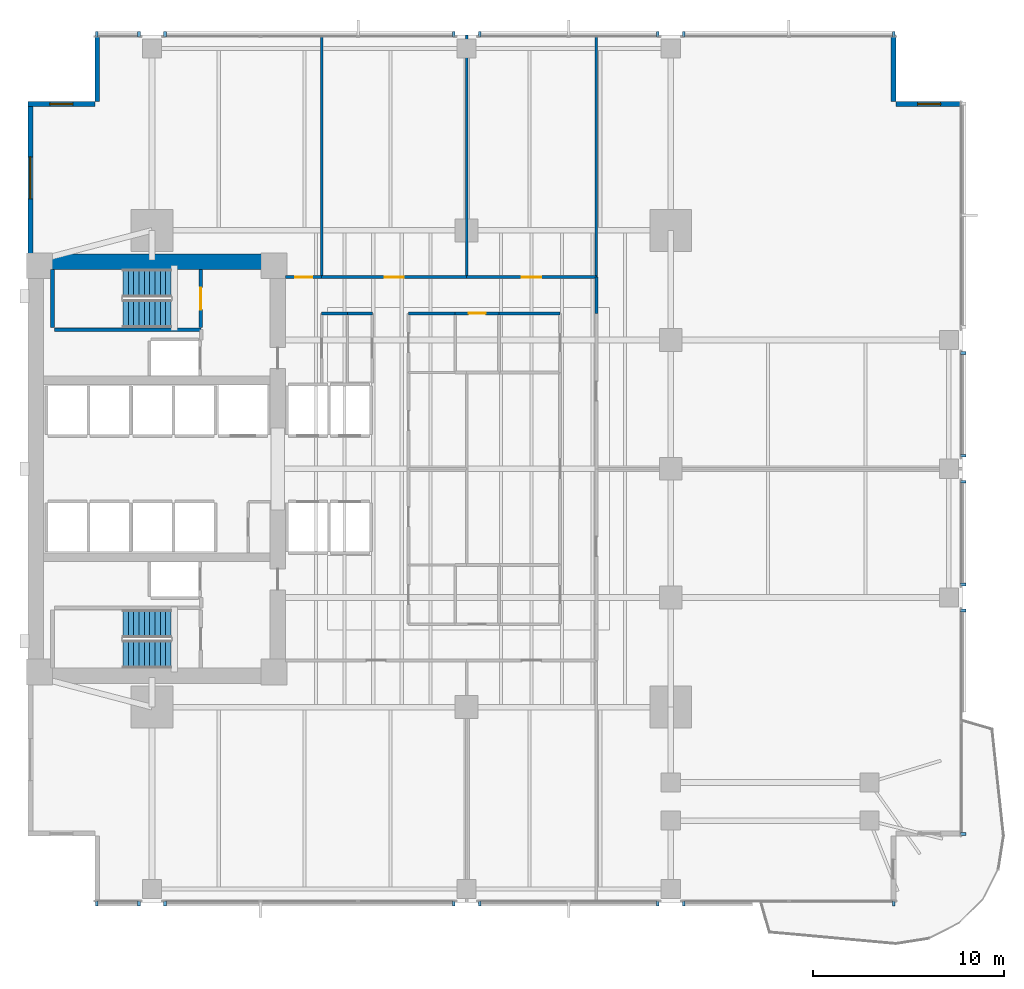
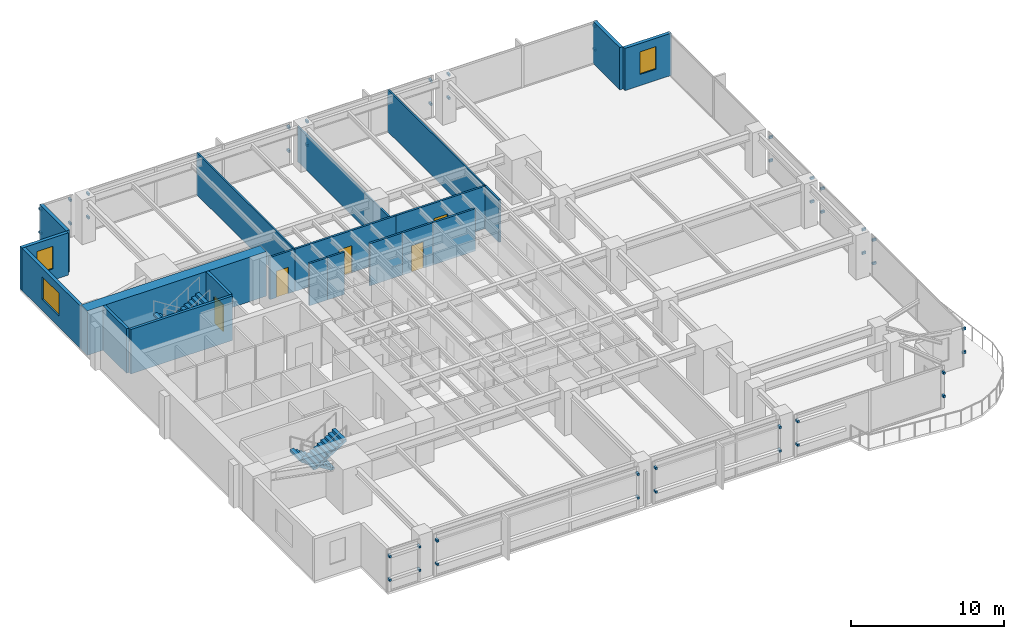
# One storey, part 10 of 15: 44 discrete accessories, 21 walls, 5 doors, 4 stair flights, 3 windows, 8 openings, 2 elements without a shape of their own.
"""IFC4 building model written with IfcOpenShell, lengths in metres."""

from ifc_helpers import new_model, si_unit, direction, frame, frame_2d, origin, origin_2d, place, context, subcontext, project, spatial, polyline, rectangle, outline, extrude, material, layer, layer_set, type_object, element, fill, aggregate, save


model = new_model("IFC4")

# Units and contexts
model_context = context("Model", 3, precision=1e-05, world=origin(), true_north=direction((0.0, 1.0)))
body_context = subcontext(model_context, "Body", "Model", "MODEL_VIEW")
ifc_project = project(units=[si_unit("LENGTHUNIT", "METRE"), si_unit("AREAUNIT", "SQUARE_METRE"), si_unit("VOLUMEUNIT", "CUBIC_METRE"), si_unit("PLANEANGLEUNIT", "RADIAN"), si_unit("MASSUNIT", "GRAM", prefix="KILO")], contexts=[model_context])

# Site, building, storey
site_placement = place(None, origin())
site = spatial("IfcSite", under=ifc_project, at=site_placement, CompositionType="ELEMENT")
building_placement = place(site_placement, origin())
building = spatial("IfcBuilding", under=site, at=building_placement, Name="Kinhvarn Gate Tower", CompositionType="ELEMENT")
storey_placement = place(building_placement, frame((0.0, 0.0, 36.25)))
storey = spatial("IfcBuildingStorey", under=building, at=storey_placement, Name="L08", CompositionType="ELEMENT", Elevation=36.25)

# Wall
ifc_material_1 = material(Name="Concrete C70/85", Category="concrete")
ifc_layer_1 = layer(ifc_material_1, 0.800048828125)
ifc_layer_set_1 = layer_set([ifc_layer_1], Name="Concrete C70/85")
wall_type_1 = type_object("IfcWallType", Name="WL-CORE-800", PredefinedType="SHEAR", material=ifc_layer_set_1)
wall_1_placement = place(storey_placement, frame((4.5, 36.10009765625, 0.0), z_axis=(0.0, 0.0, 1.0), x_axis=(1.0, 0.0, 0.0)))
element("IfcWall", 1, at=wall_1_placement, inside=storey, type_object=wall_type_1, Name="Core North Shear Wall L08 800 mm", PredefinedType="SHEAR", context=body_context, shape_type="SweptSolid", body=[
    extrude(rectangle(XDim=13.5, YDim=0.800048828125, at=frame_2d((6.75, 0.0))), origin(), (0.0, 0.0, 1.0), 3.550048828125),
])

# Wall, opening, window
ifc_material_2 = material(Name="Fired architectural terracotta", Category="masonry")
ifc_layer_2 = layer(ifc_material_2, 0.25)
ifc_layer_set_2 = layer_set([ifc_layer_2], Name="Fired architectural terracotta")
wall_type_2 = type_object("IfcWallType", Name="WL-EXT-250", PredefinedType="SOLIDWALL", material=ifc_layer_set_2)
wall_2_placement = place(storey_placement, frame((4.625, 44.5, 0.0), z_axis=(0.0, 0.0, 1.0), x_axis=(0.0, -1.0, 0.0)))
wall_2 = element("IfcWall", 2, at=wall_2_placement, inside=storey, type_object=wall_type_2, Name="Exterior Solidwall Wall EW-250 (L08 West-North)", PredefinedType="SOLIDWALL", context=body_context, shape_type="SweptSolid", body=[
    extrude(rectangle(XDim=8.0, YDim=0.25, at=frame_2d((4.0, 0.0))), origin(), (0.0, 0.0, 1.0), 3.3701171875),
])
opening_1_placement = place(wall_2_placement, frame((2.89990234375, 0.0, 0.89990234375)))
opening_1 = element("IfcOpeningElement", 3, at=opening_1_placement, cuts=wall_2, Name="Opening WN-01", PredefinedType="OPENING", context=body_context, shape_type="SweptSolid", body=[
    extrude(rectangle(XDim=2.199951171875, YDim=1.800048828125, at=frame_2d((1.10009765625, 0.89990234375))), frame((0.0, 0.135009765625, 0.0), z_axis=(0.0, -1.0, 0.0), x_axis=(1.0, 0.0, 0.0)), (0.0, 0.0, 1.0), 0.27001953125),
])
ifc_material_3 = material(Name="Clear low-e double glazing", Category="glass")
window_type_1 = type_object("IfcWindowType", Name="WIN-RIB-2200", PartitioningType="SINGLE_PANEL", PredefinedType="WINDOW", material=ifc_material_3)
window_1_placement = place(opening_1_placement, origin())
window_1 = element("IfcWindow", 4, at=window_1_placement, inside=storey, type_object=window_type_1, Name="West Flank Double-Glazed Ribbon Window 2200x1800 mm (L08)", OverallHeight=1.800048828125, OverallWidth=2.199951171875, PartitioningType="SINGLE_PANEL", PredefinedType="WINDOW", context=body_context, shape_type="SweptSolid", body=[
    extrude(rectangle(XDim=2.199951171875, YDim=1.800048828125, at=frame_2d((1.10009765625, 0.89990234375))), frame((0.0, 0.030029296875, 0.0), z_axis=(0.0, -1.0, 0.0), x_axis=(1.0, 0.0, 0.0)), (0.0, 0.0, 1.0), 0.06005859375),
])
fill(opening_1, window_1)

wall_3_placement = place(storey_placement, frame((53.5, 44.375, 0.0), z_axis=(0.0, 0.0, 1.0), x_axis=(-1.0, 0.0, 0.0)))
wall_3 = element("IfcWall", 5, at=wall_3_placement, inside=storey, type_object=wall_type_2, Name="Exterior Solidwall Wall EW-250 (L08 NE-Notch-1)", PredefinedType="SOLIDWALL", context=body_context, shape_type="SweptSolid", body=[
    extrude(rectangle(XDim=3.5, YDim=0.25, at=frame_2d((1.75, 0.0))), origin(), (0.0, 0.0, 1.0), 3.3701171875),
])
opening_2_placement = place(wall_3_placement, frame((1.14990234375, 0.0, 0.89990234375)))
opening_2 = element("IfcOpeningElement", 6, at=opening_2_placement, cuts=wall_3, Name="Opening WN-02", PredefinedType="OPENING", context=body_context, shape_type="SweptSolid", body=[
    extrude(rectangle(XDim=1.199951171875, YDim=1.800048828125, at=frame_2d((0.60009765625, 0.89990234375))), frame((0.0, 0.135009765625, 0.0), z_axis=(0.0, -1.0, 0.0), x_axis=(1.0, 0.0, 0.0)), (0.0, 0.0, 1.0), 0.27001953125),
])
window_type_2 = type_object("IfcWindowType", Name="WIN-NTC-1200", PartitioningType="SINGLE_PANEL", PredefinedType="WINDOW", material=ifc_material_3)
window_2_placement = place(opening_2_placement, origin())
window_2 = element("IfcWindow", 7, at=window_2_placement, inside=storey, type_object=window_type_2, Name="Recessed Corner Notch Punched Window 1200x1800 mm (L08)", OverallHeight=1.800048828125, OverallWidth=1.199951171875, PartitioningType="SINGLE_PANEL", PredefinedType="WINDOW", context=body_context, shape_type="SweptSolid", body=[
    extrude(rectangle(XDim=1.199951171875, YDim=1.800048828125, at=frame_2d((0.60009765625, 0.89990234375))), frame((0.0, 0.030029296875, 0.0), z_axis=(0.0, -1.0, 0.0), x_axis=(1.0, 0.0, 0.0)), (0.0, 0.0, 1.0), 0.06005859375),
])
fill(opening_2, window_2)

# Walls
for number, where, z_axis, x_axis, name in (
    (8, (49.875, 44.5, 0.0), (0.0, 0.0, 1.0), (0.0, 1.0, 0.0), "Exterior Solidwall Wall EW-250 (L08 NE-Notch-2)"),
    (9, (8.125, 48.0, 0.0), (0.0, 0.0, 1.0), (0.0, -1.0, 0.0), "Exterior Solidwall Wall EW-250 (L08 NW-Notch-1)"),
):
    element("IfcWall", number, at=place(storey_placement, frame(where, z_axis=z_axis, x_axis=x_axis)), inside=storey, type_object=wall_type_2, Name=name, PredefinedType="SOLIDWALL", context=body_context, shape_type="SweptSolid", body=[
        extrude(rectangle(XDim=3.5, YDim=0.25, at=frame_2d((1.75, 0.0))), origin(), (0.0, 0.0, 1.0), 3.3701171875),
    ])

# Wall, opening, window
wall_4_placement = place(storey_placement, frame((8.0, 44.375, 0.0), z_axis=(0.0, 0.0, 1.0), x_axis=(-1.0, 0.0, 0.0)))
wall_4 = element("IfcWall", 10, at=wall_4_placement, inside=storey, type_object=wall_type_2, Name="Exterior Solidwall Wall EW-250 (L08 NW-Notch-2)", PredefinedType="SOLIDWALL", context=body_context, shape_type="SweptSolid", body=[
    extrude(rectangle(XDim=3.5, YDim=0.25, at=frame_2d((1.75, 0.0))), origin(), (0.0, 0.0, 1.0), 3.3701171875),
])
opening_3_placement = place(wall_4_placement, frame((1.14990234375, 0.0, 0.89990234375)))
opening_3 = element("IfcOpeningElement", 11, at=opening_3_placement, cuts=wall_4, Name="Opening WN-02", PredefinedType="OPENING", context=body_context, shape_type="SweptSolid", body=[
    extrude(rectangle(XDim=1.199951171875, YDim=1.800048828125, at=frame_2d((0.60009765625, 0.89990234375))), frame((0.0, 0.135009765625, 0.0), z_axis=(0.0, -1.0, 0.0), x_axis=(1.0, 0.0, 0.0)), (0.0, 0.0, 1.0), 0.27001953125),
])
window_3_placement = place(opening_3_placement, origin())
window_3 = element("IfcWindow", 12, at=window_3_placement, inside=storey, type_object=window_type_2, Name="Recessed Corner Notch Punched Window 1200x1800 mm (L08)", OverallHeight=1.800048828125, OverallWidth=1.199951171875, PartitioningType="SINGLE_PANEL", PredefinedType="WINDOW", context=body_context, shape_type="SweptSolid", body=[
    extrude(rectangle(XDim=1.199951171875, YDim=1.800048828125, at=frame_2d((0.60009765625, 0.89990234375))), frame((0.0, 0.030029296875, 0.0), z_axis=(0.0, -1.0, 0.0), x_axis=(1.0, 0.0, 0.0)), (0.0, 0.0, 1.0), 0.06005859375),
])
fill(opening_3, window_3)

# Wall
ifc_material_4 = material(Name="Gypsum acoustic partition board")
ifc_layer_3 = layer(ifc_material_4, 0.14990234375)
ifc_layer_set_3 = layer_set([ifc_layer_3], Name="Gypsum acoustic partition board")
wall_type_3 = type_object("IfcWallType", Name="WL-PLM-150F", PredefinedType="PLUMBINGWALL", material=ifc_layer_set_3)
wall_5_placement = place(storey_placement, frame((29.199951171875, 33.39990234375, 0.0), z_axis=(0.0, 0.0, 1.0), x_axis=(1.0, 0.0, 0.0)))
element("IfcWall", 13, at=wall_5_placement, inside=storey, type_object=wall_type_3, Name="Interior Partition PLW-150F (L08)", PredefinedType="PLUMBINGWALL", context=body_context, shape_type="SweptSolid", body=[
    extrude(rectangle(XDim=3.199951171875, YDim=0.14990234375, at=frame_2d((1.60009765625, 0.0))), origin(), (0.0, 0.0, 1.0), 3.3701171875),
])

# Wall, opening, door
wall_6_placement = place(storey_placement, frame((26.89990234375, 33.39990234375, 0.0), z_axis=(0.0, 0.0, 1.0), x_axis=(1.0, 0.0, 0.0)))
wall_6 = element("IfcWall", 14, at=wall_6_placement, inside=storey, type_object=wall_type_3, Name="Interior Partition PLW-150F (L08)", PredefinedType="PLUMBINGWALL", context=body_context, shape_type="SweptSolid", body=[
    extrude(rectangle(XDim=2.300048828125, YDim=0.14990234375, at=frame_2d((1.14990234375, 0.0))), origin(), (0.0, 0.0, 1.0), 3.3701171875),
])
opening_4_placement = place(wall_6_placement, frame((0.699951171875, 0.0, 0.0)))
opening_4 = element("IfcOpeningElement", 15, at=opening_4_placement, cuts=wall_6, Name="Opening FD-04", PredefinedType="OPENING", context=body_context, shape_type="SweptSolid", body=[
    extrude(rectangle(XDim=0.89990234375, YDim=2.10009765625, at=frame_2d((0.449951171875, 1.050048828125))), frame((0.0, 0.0849609375, 0.0), z_axis=(0.0, -1.0, 0.0), x_axis=(1.0, 0.0, 0.0)), (0.0, 0.0, 1.0), 0.169921875),
])
ifc_material_5 = material(Name="Anodised aluminium AW-6063", Category="aluminium")
door_type_1 = type_object("IfcDoorType", Name="DR-FD-900", OperationType="NOTDEFINED", PredefinedType="DOOR", material=ifc_material_5)
door_1_placement = place(opening_4_placement, origin())
door_1 = element("IfcDoor", 16, at=door_1_placement, inside=storey, type_object=door_type_1, Name="Rated Riser & Service Closet Fire Door 900x2100 mm (L08)", OperationType="SINGLE_SWING_LEFT", OverallHeight=2.10009765625, OverallWidth=0.89990234375, PredefinedType="DOOR", context=body_context, shape_type="SweptSolid", body=[
    extrude(rectangle(XDim=0.89990234375, YDim=2.10009765625, at=frame_2d((0.449951171875, 1.050048828125))), frame((0.0, 0.02490234375, 0.0), z_axis=(0.0, -1.0, 0.0), x_axis=(1.0, 0.0, 0.0)), (0.0, 0.0, 1.0), 0.050048828125),
])
fill(opening_4, door_1)

# Walls
ifc_layer_4 = layer(ifc_material_4, 0.1201171875)
ifc_layer_set_4 = layer_set([ifc_layer_4], Name="Gypsum acoustic partition board")
wall_type_4 = type_object("IfcWallType", Name="WL-PRT-120", PredefinedType="PARTITIONING", material=ifc_layer_set_4)
wall_7_placement = place(storey_placement, frame((19.89990234375, 35.300048828125, 0.0), z_axis=(0.0, 0.0, 1.0), x_axis=(0.0, 1.0, 0.0)))
element("IfcWall", 17, at=wall_7_placement, inside=storey, type_object=wall_type_4, Name="Interior Partition PW-120 (L08)", PredefinedType="PARTITIONING", context=body_context, shape_type="SweptSolid", body=[
    extrude(rectangle(XDim=12.68994140625, YDim=0.1201171875, at=frame_2d((6.344970703125, 0.0))), origin(), (0.0, 0.0, 1.0), 3.3701171875),
])
wall_8_placement = place(storey_placement, frame((27.5, 35.300048828125, 0.0), z_axis=(0.0, 0.0, 1.0), x_axis=(0.0, 1.0, 0.0)))
element("IfcWall", 18, at=wall_8_placement, inside=storey, type_object=wall_type_4, Name="Interior Partition PW-120 (L08)", PredefinedType="PARTITIONING", context=body_context, shape_type="SweptSolid", body=[
    extrude(rectangle(XDim=12.68994140625, YDim=0.1201171875, at=frame_2d((6.344970703125, 0.0))), origin(), (0.0, 0.0, 1.0), 2.820068359375),
])
wall_9_placement = place(storey_placement, frame((34.300048828125, 35.300048828125, 0.0), z_axis=(0.0, 0.0, 1.0), x_axis=(0.0, 1.0, 0.0)))
element("IfcWall", 19, at=wall_9_placement, inside=storey, type_object=wall_type_4, Name="Interior Partition PW-120 (L08)", PredefinedType="PARTITIONING", context=body_context, shape_type="SweptSolid", body=[
    extrude(rectangle(XDim=12.68994140625, YDim=0.1201171875, at=frame_2d((6.344970703125, 0.0))), origin(), (0.0, 0.0, 1.0), 3.3701171875),
])
ifc_layer_5 = layer(ifc_material_4, 0.14990234375)
ifc_layer_set_5 = layer_set([ifc_layer_5], Name="Gypsum acoustic partition board")
wall_type_5 = type_object("IfcWallType", Name="WL-PRT-150F", PredefinedType="PARTITIONING", material=ifc_layer_set_5)
wall_10_placement = place(storey_placement, frame((19.89990234375, 33.39990234375, 0.0), z_axis=(0.0, 0.0, 1.0), x_axis=(1.0, 0.0, 0.0)))
element("IfcWall", 20, at=wall_10_placement, inside=storey, type_object=wall_type_5, Name="Interior Partition PW-150F (L08)", PredefinedType="PARTITIONING", context=body_context, shape_type="SweptSolid", body=[
    extrude(rectangle(XDim=1.35009765625, YDim=0.14990234375, at=frame_2d((0.675048828125, 0.0))), origin(), (0.0, 0.0, 1.0), 3.3701171875),
])
wall_11_placement = place(storey_placement, frame((21.25, 33.39990234375, 0.0), z_axis=(0.0, 0.0, 1.0), x_axis=(1.0, 0.0, 0.0)))
element("IfcWall", 21, at=wall_11_placement, inside=storey, type_object=wall_type_5, Name="Interior Partition PW-150F (L08)", PredefinedType="PARTITIONING", context=body_context, shape_type="SweptSolid", body=[
    extrude(rectangle(XDim=1.300048828125, YDim=0.14990234375, at=frame_2d((0.64990234375, 0.0))), origin(), (0.0, 0.0, 1.0), 3.3701171875),
])
wall_12_placement = place(storey_placement, frame((24.449951171875, 33.39990234375, 0.0), z_axis=(0.0, 0.0, 1.0), x_axis=(1.0, 0.0, 0.0)))
element("IfcWall", 22, at=wall_12_placement, inside=storey, type_object=wall_type_5, Name="Interior Partition PW-150F (L08)", PredefinedType="PARTITIONING", context=body_context, shape_type="SweptSolid", body=[
    extrude(rectangle(XDim=2.449951171875, YDim=0.14990234375, at=frame_2d((1.22509765625, 0.0))), origin(), (0.0, 0.0, 1.0), 3.3701171875),
])

# Wall, opening, door
wall_13_placement = place(storey_placement, frame((18.0, 35.300048828125, 0.0), z_axis=(0.0, 0.0, 1.0), x_axis=(1.0, 0.0, 0.0)))
wall_13 = element("IfcWall", 23, at=wall_13_placement, inside=storey, type_object=wall_type_5, Name="Interior Partition PW-150F (L08)", PredefinedType="PARTITIONING", context=body_context, shape_type="SweptSolid", body=[
    extrude(rectangle(XDim=1.89990234375, YDim=0.14990234375, at=frame_2d((0.949951171875, 0.0))), origin(), (0.0, 0.0, 1.0), 3.3701171875),
])
opening_5_placement = place(wall_13_placement, frame((0.5, 0.0, 0.0)))
opening_5 = element("IfcOpeningElement", 24, at=opening_5_placement, cuts=wall_13, Name="Opening ID-03", PredefinedType="OPENING", context=body_context, shape_type="SweptSolid", body=[
    extrude(rectangle(XDim=0.89990234375, YDim=2.10009765625, at=frame_2d((0.449951171875, 1.050048828125))), frame((0.0, 0.0849609375, 0.0), z_axis=(0.0, -1.0, 0.0), x_axis=(1.0, 0.0, 0.0)), (0.0, 0.0, 1.0), 0.169921875),
])
door_type_2 = type_object("IfcDoorType", Name="DR-INT-900", OperationType="NOTDEFINED", PredefinedType="DOOR", material=ifc_material_5)
door_2_placement = place(opening_5_placement, origin())
door_2 = element("IfcDoor", 25, at=door_2_placement, inside=storey, type_object=door_type_2, Name="Cellular Office & Restroom Door 900x2100 mm (L08)", OperationType="SINGLE_SWING_RIGHT", OverallHeight=2.10009765625, OverallWidth=0.89990234375, PredefinedType="DOOR", context=body_context, shape_type="SweptSolid", body=[
    extrude(rectangle(XDim=0.89990234375, YDim=2.10009765625, at=frame_2d((0.449951171875, 1.050048828125))), frame((0.0, 0.02490234375, 0.0), z_axis=(0.0, -1.0, 0.0), x_axis=(1.0, 0.0, 0.0)), (0.0, 0.0, 1.0), 0.050048828125),
])
fill(opening_5, door_2)

wall_14_placement = place(storey_placement, frame((19.89990234375, 35.300048828125, 0.0), z_axis=(0.0, 0.0, 1.0), x_axis=(1.0, 0.0, 0.0)))
wall_14 = element("IfcWall", 26, at=wall_14_placement, inside=storey, type_object=wall_type_5, Name="Interior Partition PW-150F (L08)", PredefinedType="PARTITIONING", context=body_context, shape_type="SweptSolid", body=[
    extrude(rectangle(XDim=7.60009765625, YDim=0.14990234375, at=frame_2d((3.800048828125, 0.0))), origin(), (0.0, 0.0, 1.0), 3.3701171875),
])
opening_6_placement = place(wall_14_placement, frame((3.300048828125, 0.0, 0.0)))
opening_6 = element("IfcOpeningElement", 27, at=opening_6_placement, cuts=wall_14, Name="Opening ID-02", PredefinedType="OPENING", context=body_context, shape_type="SweptSolid", body=[
    extrude(rectangle(XDim=1.0, YDim=2.14990234375, at=frame_2d((0.5, 1.074951171875))), frame((0.0, 0.0849609375, 0.0), z_axis=(0.0, -1.0, 0.0), x_axis=(1.0, 0.0, 0.0)), (0.0, 0.0, 1.0), 0.169921875),
])
door_type_3 = type_object("IfcDoorType", Name="DR-INT-1000", OperationType="NOTDEFINED", PredefinedType="DOOR", material=ifc_material_5)
door_3_placement = place(opening_6_placement, origin())
door_3 = element("IfcDoor", 28, at=door_3_placement, inside=storey, type_object=door_type_3, Name="Standard Office & Meeting Room Door 1000x2150 mm (L08)", OperationType="SINGLE_SWING_LEFT", OverallHeight=2.14990234375, OverallWidth=1.0, PredefinedType="DOOR", context=body_context, shape_type="SweptSolid", body=[
    extrude(rectangle(XDim=1.0, YDim=2.14990234375, at=frame_2d((0.5, 1.074951171875))), frame((0.0, 0.02490234375, 0.0), z_axis=(0.0, -1.0, 0.0), x_axis=(1.0, 0.0, 0.0)), (0.0, 0.0, 1.0), 0.050048828125),
])
fill(opening_6, door_3)

wall_15_placement = place(storey_placement, frame((27.5, 35.300048828125, 0.0), z_axis=(0.0, 0.0, 1.0), x_axis=(1.0, 0.0, 0.0)))
wall_15 = element("IfcWall", 29, at=wall_15_placement, inside=storey, type_object=wall_type_5, Name="Interior Partition PW-150F (L08)", PredefinedType="PARTITIONING", context=body_context, shape_type="SweptSolid", body=[
    extrude(rectangle(XDim=6.800048828125, YDim=0.14990234375, at=frame_2d((3.39990234375, 0.0))), origin(), (0.0, 0.0, 1.0), 3.3701171875),
])
opening_7_placement = place(wall_15_placement, frame((2.89990234375, 0.0, 0.0)))
opening_7 = element("IfcOpeningElement", 30, at=opening_7_placement, cuts=wall_15, Name="Opening ID-02", PredefinedType="OPENING", context=body_context, shape_type="SweptSolid", body=[
    extrude(rectangle(XDim=1.0, YDim=2.14990234375, at=frame_2d((0.5, 1.074951171875))), frame((0.0, 0.0849609375, 0.0), z_axis=(0.0, -1.0, 0.0), x_axis=(1.0, 0.0, 0.0)), (0.0, 0.0, 1.0), 0.169921875),
])
door_4_placement = place(opening_7_placement, origin())
door_4 = element("IfcDoor", 31, at=door_4_placement, inside=storey, type_object=door_type_3, Name="Standard Office & Meeting Room Door 1000x2150 mm (L08)", OperationType="SINGLE_SWING_RIGHT", OverallHeight=2.14990234375, OverallWidth=1.0, PredefinedType="DOOR", context=body_context, shape_type="SweptSolid", body=[
    extrude(rectangle(XDim=1.0, YDim=2.14990234375, at=frame_2d((0.5, 1.074951171875))), frame((0.0, 0.02490234375, 0.0), z_axis=(0.0, -1.0, 0.0), x_axis=(1.0, 0.0, 0.0)), (0.0, 0.0, 1.0), 0.050048828125),
])
fill(opening_7, door_4)

# Walls
wall_16_placement = place(storey_placement, frame((34.300048828125, 33.39990234375, 0.0), z_axis=(0.0, 0.0, 1.0), x_axis=(0.0, 1.0, 0.0)))
element("IfcWall", 32, at=wall_16_placement, inside=storey, type_object=wall_type_5, Name="Interior Partition PW-150F (L08)", PredefinedType="PARTITIONING", context=body_context, shape_type="SweptSolid", body=[
    extrude(rectangle(XDim=1.900146484375, YDim=0.14990234375, at=frame_2d((0.9501953125, 0.0))), origin(), (0.0, 0.0, 1.0), 3.3701171875),
])
ifc_material_6 = material(Name="Concrete C40/50", Category="concrete")
ifc_layer_6 = layer(ifc_material_6, 0.199951171875)
ifc_layer_set_6 = layer_set([ifc_layer_6], Name="Concrete C40/50")
wall_type_6 = type_object("IfcWallType", Name="WL-SHF-200", PredefinedType="SOLIDWALL", material=ifc_layer_set_6)
wall_17_placement = place(storey_placement, frame((5.7900390625, 32.64990234375, 0.0), z_axis=(0.0, 0.0, 1.0), x_axis=(0.0, 1.0, 0.0)))
element("IfcWall", 33, at=wall_17_placement, inside=storey, type_object=wall_type_6, Name="Stair ST2 West Shaft Wall (L08)", PredefinedType="SOLIDWALL", context=body_context, shape_type="SweptSolid", body=[
    extrude(rectangle(XDim=3.050048828125, YDim=0.199951171875, at=frame_2d((1.52490234375, 0.0))), origin(), (0.0, 0.0, 1.0), 3.550048828125),
])
wall_18_placement = place(storey_placement, frame((5.89990234375, 32.5400390625, 0.0), z_axis=(0.0, 0.0, 1.0), x_axis=(1.0, 0.0, 0.0)))
element("IfcWall", 34, at=wall_18_placement, inside=storey, type_object=wall_type_6, Name="Stair ST2 South Shaft Wall (L08)", PredefinedType="SOLIDWALL", context=body_context, shape_type="SweptSolid", body=[
    extrude(rectangle(XDim=7.66015625, YDim=0.199951171875, at=frame_2d((3.830078125, 0.0))), origin(), (0.0, 0.0, 1.0), 3.550048828125),
])

# Wall, opening, door
wall_19_placement = place(storey_placement, frame((13.56005859375, 32.64990234375, 0.0), z_axis=(0.0, 0.0, 1.0), x_axis=(0.0, 1.0, 0.0)))
wall_19 = element("IfcWall", 35, at=wall_19_placement, inside=storey, type_object=wall_type_6, Name="Stair ST2 East Entry Wall (L08)", PredefinedType="SOLIDWALL", context=body_context, shape_type="SweptSolid", body=[
    extrude(rectangle(XDim=3.050048828125, YDim=0.199951171875, at=frame_2d((1.52490234375, 0.0))), origin(), (0.0, 0.0, 1.0), 3.550048828125),
])
opening_8_placement = place(wall_19_placement, frame((0.949951171875, 0.0, 0.0)))
opening_8 = element("IfcOpeningElement", 36, at=opening_8_placement, cuts=wall_19, Name="Opening FD-01", PredefinedType="OPENING", context=body_context, shape_type="SweptSolid", body=[
    extrude(rectangle(XDim=1.14990234375, YDim=2.14990234375, at=frame_2d((0.574951171875, 1.074951171875))), frame((0.0, 0.10986328125, 0.0), z_axis=(0.0, -1.0, 0.0), x_axis=(1.0, 0.0, 0.0)), (0.0, 0.0, 1.0), 0.219970703125),
])
door_type_4 = type_object("IfcDoorType", Name="DR-ST-1150", OperationType="NOTDEFINED", PredefinedType="DOOR", material=ifc_material_5)
door_5_placement = place(opening_8_placement, origin())
door_5 = element("IfcDoor", 37, at=door_5_placement, inside=storey, type_object=door_type_4, Name="Exit Stair ST2 Fire Door (L08)", OperationType="SINGLE_SWING_LEFT", OverallHeight=2.14990234375, OverallWidth=1.14990234375, PredefinedType="DOOR", context=body_context, shape_type="SweptSolid", body=[
    extrude(rectangle(XDim=1.14990234375, YDim=2.14990234375, at=frame_2d((0.574951171875, 1.074951171875))), frame((0.0, 0.02490234375, 0.0), z_axis=(0.0, -1.0, 0.0), x_axis=(1.0, 0.0, 0.0)), (0.0, 0.0, 1.0), 0.050048828125),
])
fill(opening_8, door_5)

# Stair, stair flights
stair_type = type_object("IfcStairType", Name="STR-DLG-177", PredefinedType="HALF_TURN_STAIR", material=ifc_material_6)
stair_1_placement = place(storey_placement, origin())
stair_1 = element("IfcStair", 38, at=stair_1_placement, inside=storey, type_object=stair_type, Name="L08 Core Smokeproof Exit Stair ST1", PredefinedType="HALF_TURN_STAIR")
stair_flight_type = type_object("IfcStairFlightType", Name="STF-DLG-177", PredefinedType="STRAIGHT", material=ifc_material_6)
stair_flight_1_placement = place(storey_placement, frame((12.0, 17.125, 0.0), z_axis=(0.0, 0.0, 1.0), x_axis=(-1.0, 0.0, 0.0)))
stair_flight_1 = element("IfcStairFlight", 39, at=stair_flight_1_placement, type_object=stair_flight_type, Name="ST1 flight 1", NumberOfRisers=10, NumberOfTreads=9, PredefinedType="STRAIGHT", RiserHeight=0.1775, TreadLength=0.28, context=body_context, shape_type="SweptSolid", body=[
    extrude(outline(polyline([(0.0, 0.0), (0.0, 0.177490234375), (0.280029296875, 0.177490234375), (0.280029296875, 0.35498046875), (0.56005859375, 0.35498046875), (0.56005859375, 0.532470703125), (0.840087890625, 0.532470703125), (0.840087890625, 0.7099609375), (1.1201171875, 0.7099609375), (1.1201171875, 0.887451171875), (1.39990234375, 0.887451171875), (1.39990234375, 1.06494140625), (1.679931640625, 1.06494140625), (1.679931640625, 1.242431640625), (1.9599609375, 1.242431640625), (1.9599609375, 1.419921875), (2.239990234375, 1.419921875), (2.239990234375, 1.597412109375), (2.52001953125, 1.597412109375), (2.52001953125, 1.77490234375), (2.52001953125, 1.419921875), (0.280029296875, 0.0), (0.0, 0.0)])), frame((0.0, 0.72509765625, 0.0), z_axis=(0.0, -1.0, 0.0), x_axis=(1.0, 0.0, 0.0)), (0.0, 0.0, 1.0), 1.449951171875),
])
stair_flight_2_placement = place(storey_placement, frame((9.47998046875, 15.52490234375, 1.77490234375), z_axis=(0.0, 0.0, 1.0), x_axis=(1.0, 0.0, 0.0)))
stair_flight_2 = element("IfcStairFlight", 40, at=stair_flight_2_placement, type_object=stair_flight_type, Name="ST1 flight 2", NumberOfRisers=10, NumberOfTreads=9, PredefinedType="STRAIGHT", RiserHeight=0.1775, TreadLength=0.28, context=body_context, shape_type="SweptSolid", body=[
    extrude(outline(polyline([(0.0, 0.0), (0.0, 0.177490234375), (0.280029296875, 0.177490234375), (0.280029296875, 0.35498046875), (0.56005859375, 0.35498046875), (0.56005859375, 0.532470703125), (0.840087890625, 0.532470703125), (0.840087890625, 0.7099609375), (1.1201171875, 0.7099609375), (1.1201171875, 0.887451171875), (1.39990234375, 0.887451171875), (1.39990234375, 1.06494140625), (1.679931640625, 1.06494140625), (1.679931640625, 1.242431640625), (1.9599609375, 1.242431640625), (1.9599609375, 1.419921875), (2.239990234375, 1.419921875), (2.239990234375, 1.597412109375), (2.52001953125, 1.597412109375), (2.52001953125, 1.77490234375), (2.52001953125, 1.419921875), (0.280029296875, 0.0), (0.0, 0.0)])), frame((0.0, 0.72509765625, 0.0), z_axis=(0.0, -1.0, 0.0), x_axis=(1.0, 0.0, 0.0)), (0.0, 0.0, 1.0), 1.449951171875),
])
aggregate(stair_1, [stair_flight_1, stair_flight_2])

stair_2_placement = place(storey_placement, origin())
stair_2 = element("IfcStair", 41, at=stair_2_placement, inside=storey, type_object=stair_type, Name="L08 Core Smokeproof Exit Stair ST2", PredefinedType="HALF_TURN_STAIR")
stair_flight_3_placement = place(storey_placement, frame((12.0, 34.97509765625, 0.0), z_axis=(0.0, 0.0, 1.0), x_axis=(-1.0, 0.0, 0.0)))
stair_flight_3 = element("IfcStairFlight", 42, at=stair_flight_3_placement, type_object=stair_flight_type, Name="ST2 flight 1", NumberOfRisers=10, NumberOfTreads=9, PredefinedType="STRAIGHT", RiserHeight=0.1775, TreadLength=0.28, context=body_context, shape_type="SweptSolid", body=[
    extrude(outline(polyline([(0.0, 0.0), (0.0, 0.177490234375), (0.280029296875, 0.177490234375), (0.280029296875, 0.35498046875), (0.56005859375, 0.35498046875), (0.56005859375, 0.532470703125), (0.840087890625, 0.532470703125), (0.840087890625, 0.7099609375), (1.1201171875, 0.7099609375), (1.1201171875, 0.887451171875), (1.39990234375, 0.887451171875), (1.39990234375, 1.06494140625), (1.679931640625, 1.06494140625), (1.679931640625, 1.242431640625), (1.9599609375, 1.242431640625), (1.9599609375, 1.419921875), (2.239990234375, 1.419921875), (2.239990234375, 1.597412109375), (2.52001953125, 1.597412109375), (2.52001953125, 1.77490234375), (2.52001953125, 1.419921875), (0.280029296875, 0.0), (0.0, 0.0)])), frame((0.0, 0.72509765625, 0.0), z_axis=(0.0, -1.0, 0.0), x_axis=(1.0, 0.0, 0.0)), (0.0, 0.0, 1.0), 1.449951171875),
])
stair_flight_4_placement = place(storey_placement, frame((9.47998046875, 33.375, 1.77490234375), z_axis=(0.0, 0.0, 1.0), x_axis=(1.0, 0.0, 0.0)))
stair_flight_4 = element("IfcStairFlight", 43, at=stair_flight_4_placement, type_object=stair_flight_type, Name="ST2 flight 2", NumberOfRisers=10, NumberOfTreads=9, PredefinedType="STRAIGHT", RiserHeight=0.1775, TreadLength=0.28, context=body_context, shape_type="SweptSolid", body=[
    extrude(outline(polyline([(0.0, 0.0), (0.0, 0.177490234375), (0.280029296875, 0.177490234375), (0.280029296875, 0.35498046875), (0.56005859375, 0.35498046875), (0.56005859375, 0.532470703125), (0.840087890625, 0.532470703125), (0.840087890625, 0.7099609375), (1.1201171875, 0.7099609375), (1.1201171875, 0.887451171875), (1.39990234375, 0.887451171875), (1.39990234375, 1.06494140625), (1.679931640625, 1.06494140625), (1.679931640625, 1.242431640625), (1.9599609375, 1.242431640625), (1.9599609375, 1.419921875), (2.239990234375, 1.419921875), (2.239990234375, 1.597412109375), (2.52001953125, 1.597412109375), (2.52001953125, 1.77490234375), (2.52001953125, 1.419921875), (0.280029296875, 0.0), (0.0, 0.0)])), frame((0.0, 0.72509765625, 0.0), z_axis=(0.0, -1.0, 0.0), x_axis=(1.0, 0.0, 0.0)), (0.0, 0.0, 1.0), 1.449951171875),
])
aggregate(stair_2, [stair_flight_3, stair_flight_4])

# Discrete accessories
discrete_accessory_type = type_object("IfcDiscreteAccessoryType", Name="ACC-BRK-01", PredefinedType="BRACKET", material=ifc_material_5)
for number, where, z_axis, x_axis, name in (
    (44, (8.10009765625, 2.4599609375, 0.9599609375), (0.0, 0.0, 1.0), (1.0, 0.0, 0.0), "Baguette Support Bracket BK-01 (L08)"),
    (45, (8.10009765625, 2.4599609375, 2.830078125), (0.0, 0.0, 1.0), (1.0, 0.0, 0.0), "Baguette Support Bracket BK-01 (L08)"),
    (46, (10.320068359375, 2.4599609375, 0.9599609375), (0.0, 0.0, 1.0), (1.0, 0.0, 0.0), "Baguette Support Bracket BK-01 (L08)"),
    (47, (10.320068359375, 2.4599609375, 2.830078125), (0.0, 0.0, 1.0), (1.0, 0.0, 0.0), "Baguette Support Bracket BK-01 (L08)"),
    (48, (11.679931640625, 2.4599609375, 0.9599609375), (0.0, 0.0, 1.0), (1.0, 0.0, 0.0), "Baguette Support Bracket BK-01 (L08)"),
    (49, (11.679931640625, 2.4599609375, 2.830078125), (0.0, 0.0, 1.0), (1.0, 0.0, 0.0), "Baguette Support Bracket BK-01 (L08)"),
    (50, (26.820068359375, 2.4599609375, 0.9599609375), (0.0, 0.0, 1.0), (1.0, 0.0, 0.0), "Baguette Support Bracket BK-01 (L08)"),
    (51, (26.820068359375, 2.4599609375, 2.830078125), (0.0, 0.0, 1.0), (1.0, 0.0, 0.0), "Baguette Support Bracket BK-01 (L08)"),
    (52, (28.179931640625, 2.4599609375, 0.9599609375), (0.0, 0.0, 1.0), (1.0, 0.0, 0.0), "Baguette Support Bracket BK-01 (L08)"),
    (53, (28.179931640625, 2.4599609375, 2.830078125), (0.0, 0.0, 1.0), (1.0, 0.0, 0.0), "Baguette Support Bracket BK-01 (L08)"),
    (54, (37.52001953125, 2.4599609375, 0.9599609375), (0.0, 0.0, 1.0), (1.0, 0.0, 0.0), "Baguette Support Bracket BK-01 (L08)"),
    (55, (37.52001953125, 2.4599609375, 2.830078125), (0.0, 0.0, 1.0), (1.0, 0.0, 0.0), "Baguette Support Bracket BK-01 (L08)"),
    (56, (38.8798828125, 2.4599609375, 0.9599609375), (0.0, 0.0, 1.0), (1.0, 0.0, 0.0), "Baguette Support Bracket BK-01 (L08)"),
    (57, (38.8798828125, 2.4599609375, 2.830078125), (0.0, 0.0, 1.0), (1.0, 0.0, 0.0), "Baguette Support Bracket BK-01 (L08)"),
    (58, (49.89990234375, 2.4599609375, 0.9599609375), (0.0, 0.0, 1.0), (1.0, 0.0, 0.0), "Baguette Support Bracket BK-01 (L08)"),
    (59, (49.89990234375, 2.4599609375, 2.830078125), (0.0, 0.0, 1.0), (1.0, 0.0, 0.0), "Baguette Support Bracket BK-01 (L08)"),
    (60, (49.89990234375, 48.0400390625, 0.9599609375), (0.0, 0.0, 1.0), (-1.0, 0.0, 0.0), "Baguette Support Bracket BK-01 (L08)"),
    (61, (49.89990234375, 48.0400390625, 2.830078125), (0.0, 0.0, 1.0), (-1.0, 0.0, 0.0), "Baguette Support Bracket BK-01 (L08)"),
    (62, (38.8798828125, 48.0400390625, 0.9599609375), (0.0, 0.0, 1.0), (-1.0, 0.0, 0.0), "Baguette Support Bracket BK-01 (L08)"),
    (63, (38.8798828125, 48.0400390625, 2.830078125), (0.0, 0.0, 1.0), (-1.0, 0.0, 0.0), "Baguette Support Bracket BK-01 (L08)"),
    (64, (37.52001953125, 48.0400390625, 0.9599609375), (0.0, 0.0, 1.0), (-1.0, 0.0, 0.0), "Baguette Support Bracket BK-01 (L08)"),
    (65, (37.52001953125, 48.0400390625, 2.830078125), (0.0, 0.0, 1.0), (-1.0, 0.0, 0.0), "Baguette Support Bracket BK-01 (L08)"),
    (66, (28.179931640625, 48.0400390625, 0.9599609375), (0.0, 0.0, 1.0), (-1.0, 0.0, 0.0), "Baguette Support Bracket BK-01 (L08)"),
    (67, (28.179931640625, 48.0400390625, 2.830078125), (0.0, 0.0, 1.0), (-1.0, 0.0, 0.0), "Baguette Support Bracket BK-01 (L08)"),
    (68, (26.820068359375, 48.0400390625, 0.9599609375), (0.0, 0.0, 1.0), (-1.0, 0.0, 0.0), "Baguette Support Bracket BK-01 (L08)"),
    (69, (26.820068359375, 48.0400390625, 2.830078125), (0.0, 0.0, 1.0), (-1.0, 0.0, 0.0), "Baguette Support Bracket BK-01 (L08)"),
    (70, (11.679931640625, 48.0400390625, 0.9599609375), (0.0, 0.0, 1.0), (-1.0, 0.0, 0.0), "Baguette Support Bracket BK-01 (L08)"),
    (71, (11.679931640625, 48.0400390625, 2.830078125), (0.0, 0.0, 1.0), (-1.0, 0.0, 0.0), "Baguette Support Bracket BK-01 (L08)"),
    (72, (10.320068359375, 48.0400390625, 0.9599609375), (0.0, 0.0, 1.0), (-1.0, 0.0, 0.0), "Baguette Support Bracket BK-01 (L08)"),
    (73, (10.320068359375, 48.0400390625, 2.830078125), (0.0, 0.0, 1.0), (-1.0, 0.0, 0.0), "Baguette Support Bracket BK-01 (L08)"),
    (74, (8.10009765625, 48.0400390625, 0.9599609375), (0.0, 0.0, 1.0), (-1.0, 0.0, 0.0), "Baguette Support Bracket BK-01 (L08)"),
    (75, (8.10009765625, 48.0400390625, 2.830078125), (0.0, 0.0, 1.0), (-1.0, 0.0, 0.0), "Baguette Support Bracket BK-01 (L08)"),
    (76, (53.5400390625, 6.10009765625, 0.9599609375), (0.0, 0.0, 1.0), (0.0, 1.0, 0.0), "Baguette Support Bracket BK-01 (L08)"),
    (77, (53.5400390625, 6.10009765625, 2.830078125), (0.0, 0.0, 1.0), (0.0, 1.0, 0.0), "Baguette Support Bracket BK-01 (L08)"),
    (78, (53.5400390625, 17.820068359375, 0.9599609375), (0.0, 0.0, 1.0), (0.0, 1.0, 0.0), "Baguette Support Bracket BK-01 (L08)"),
    (79, (53.5400390625, 17.820068359375, 2.830078125), (0.0, 0.0, 1.0), (0.0, 1.0, 0.0), "Baguette Support Bracket BK-01 (L08)"),
    (80, (53.5400390625, 19.179931640625, 0.9599609375), (0.0, 0.0, 1.0), (0.0, 1.0, 0.0), "Baguette Support Bracket BK-01 (L08)"),
    (81, (53.5400390625, 19.179931640625, 2.830078125), (0.0, 0.0, 1.0), (0.0, 1.0, 0.0), "Baguette Support Bracket BK-01 (L08)"),
    (82, (53.5400390625, 24.570068359375, 0.9599609375), (0.0, 0.0, 1.0), (0.0, 1.0, 0.0), "Baguette Support Bracket BK-01 (L08)"),
    (83, (53.5400390625, 24.570068359375, 2.830078125), (0.0, 0.0, 1.0), (0.0, 1.0, 0.0), "Baguette Support Bracket BK-01 (L08)"),
    (84, (53.5400390625, 25.929931640625, 0.9599609375), (0.0, 0.0, 1.0), (0.0, 1.0, 0.0), "Baguette Support Bracket BK-01 (L08)"),
    (85, (53.5400390625, 25.929931640625, 2.830078125), (0.0, 0.0, 1.0), (0.0, 1.0, 0.0), "Baguette Support Bracket BK-01 (L08)"),
    (86, (53.5400390625, 31.320068359375, 0.9599609375), (0.0, 0.0, 1.0), (0.0, 1.0, 0.0), "Baguette Support Bracket BK-01 (L08)"),
    (87, (53.5400390625, 31.320068359375, 2.830078125), (0.0, 0.0, 1.0), (0.0, 1.0, 0.0), "Baguette Support Bracket BK-01 (L08)"),
):
    element("IfcDiscreteAccessory", number, at=place(storey_placement, frame(where, z_axis=z_axis, x_axis=x_axis)), inside=storey, type_object=discrete_accessory_type, Name=name, PredefinedType="BRACKET", context=body_context, shape_type="SweptSolid", body=[
        extrude(rectangle(XDim=0.139892578125, YDim=0.280029296875, at=origin_2d()), origin(), (0.0, 0.0, 1.0), 0.179931640625),
    ])

save(model, "model.ifc")
